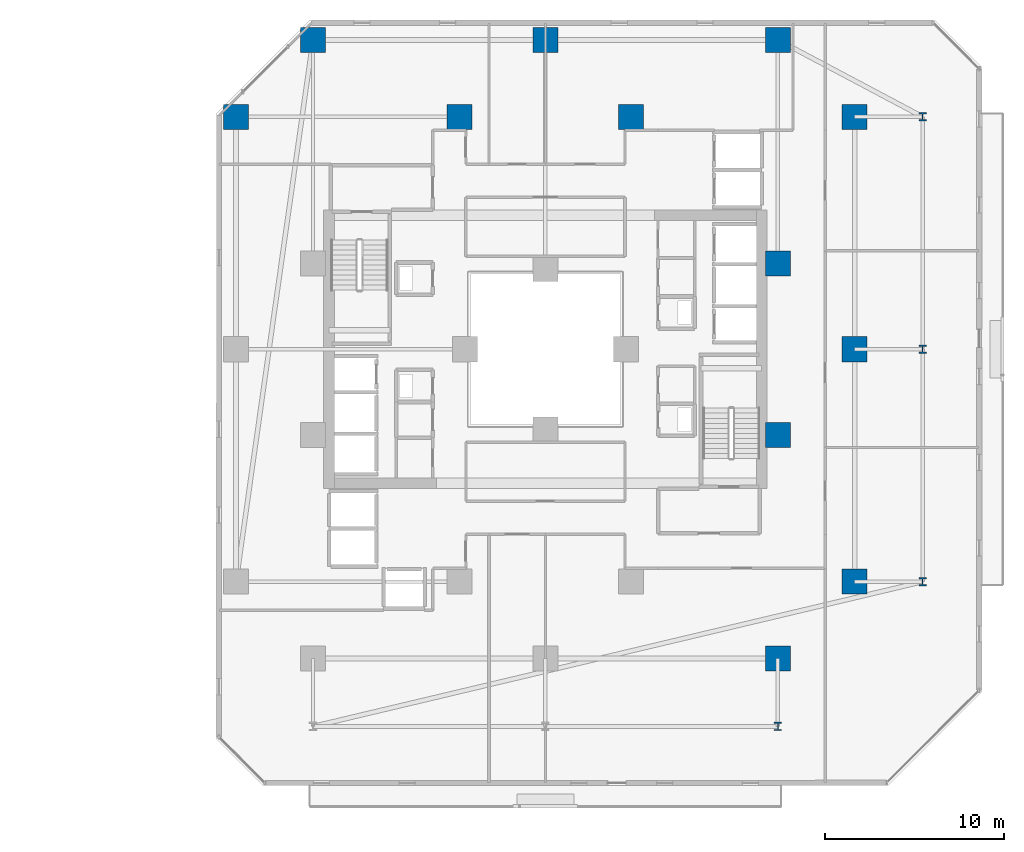
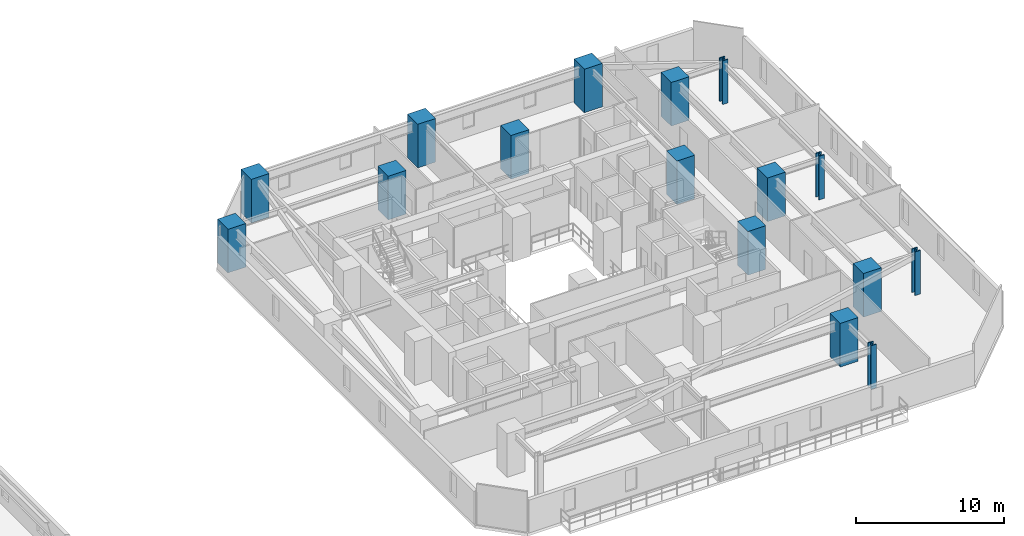
# One storey, part 2 of 33: 16 columns.
"""IFC4 building model written with IfcOpenShell, lengths in metres."""

from ifc_helpers import new_model, si_unit, direction, frame, origin, origin_2d, place, context, subcontext, project, spatial, rectangle, i_section, extrude, material, material_profile, profile_set, type_object, element, save


model = new_model("IFC4")

# Units and contexts
model_context = context("Model", 3, precision=1e-05, world=origin(), true_north=direction((0.0, 1.0)))
body_context = subcontext(model_context, "Body", "Model", "MODEL_VIEW")
ifc_project = project(units=[si_unit("LENGTHUNIT", "METRE"), si_unit("AREAUNIT", "SQUARE_METRE"), si_unit("VOLUMEUNIT", "CUBIC_METRE"), si_unit("PLANEANGLEUNIT", "RADIAN"), si_unit("MASSUNIT", "GRAM", prefix="KILO")], contexts=[model_context])

# Site, building, storey
site_placement = place(None, origin())
site = spatial("IfcSite", under=ifc_project, at=site_placement, CompositionType="ELEMENT")
building_placement = place(site_placement, origin())
building = spatial("IfcBuilding", under=site, at=building_placement, Name="Thornwick Lancets Civic Towers", CompositionType="ELEMENT")
storey_placement = place(building_placement, frame((0.0, 0.0, 38.699951171875)))
storey = spatial("IfcBuildingStorey", under=building, at=storey_placement, Name="L09", CompositionType="ELEMENT", Elevation=38.699951171875)

# Columns
ifc_material_1 = material(Name="Concrete C60/75", Category="concrete")
ifc_material_profile_1 = material_profile(ifc_material_1, rectangle(XDim=1.39990234375, YDim=1.39990234375, at=origin_2d()), Name="RC 1400x1400")
ifc_profile_set_1 = profile_set([ifc_material_profile_1], Name="Concrete C60/75")
column_type_1 = type_object("IfcColumnType", Name="COL_RC_1400", PredefinedType="COLUMN", material=ifc_profile_set_1)
for number, where, z_axis, x_axis, name in (
    (1, (105.800048828125, 14.0, 0.0), (0.0, 0.0, 1.0), (1.0, 0.0, 0.0), "L09 Spine Mega-Column B01"),
    (2, (105.800048828125, 27.0, 0.0), (0.0, 0.0, 1.0), (1.0, 0.0, 0.0), "L09 Spine Mega-Column B02"),
    (3, (105.800048828125, 40.0, 0.0), (0.0, 0.0, 1.0), (1.0, 0.0, 0.0), "L09 Spine Mega-Column B03"),
    (4, (101.5, 44.300048828125, 0.0), (0.0, 0.0, 1.0), (1.0, 0.0, 0.0), "L09 Spine Mega-Column B04"),
    (5, (88.5, 44.300048828125, 0.0), (0.0, 0.0, 1.0), (1.0, 0.0, 0.0), "L09 Spine Mega-Column B05"),
    (6, (75.5, 44.300048828125, 0.0), (0.0, 0.0, 1.0), (1.0, 0.0, 0.0), "L09 Spine Mega-Column B06"),
    (7, (71.199951171875, 40.0, 0.0), (0.0, 0.0, 1.0), (1.0, 0.0, 0.0), "L09 Spine Mega-Column B09"),
    (8, (101.5, 9.699951171875, 0.0), (0.0, 0.0, 1.0), (1.0, 0.0, 0.0), "L09 Spine Mega-Column B10"),
    (9, (93.300048828125, 40.0, 0.0), (0.0, 0.0, 1.0), (1.0, 0.0, 0.0), "L09 Spine Mega-Column B14"),
    (10, (83.699951171875, 40.0, 0.0), (0.0, 0.0, 1.0), (1.0, 0.0, 0.0), "L09 Spine Mega-Column B16"),
    (11, (101.5, 22.199951171875, 0.0), (0.0, 0.0, 1.0), (1.0, 0.0, 0.0), "L09 Spine Mega-Column B17"),
    (12, (101.5, 31.800048828125, 0.0), (0.0, 0.0, 1.0), (1.0, 0.0, 0.0), "L09 Spine Mega-Column B18"),
):
    element("IfcColumn", number, at=place(storey_placement, frame(where, z_axis=z_axis, x_axis=x_axis)), inside=storey, type_object=column_type_1, Name=name, PredefinedType="COLUMN", context=body_context, shape_type="SweptSolid", body=[
        extrude(rectangle(XDim=1.39990234375, YDim=1.39990234375, at=origin_2d()), origin(), (0.0, 0.0, 1.0), 3.60009765625),
    ])
ifc_material_2 = material(Name="Steel S460M", Category="steel")
ifc_material_profile_2 = material_profile(ifc_material_2, i_section(OverallWidth=0.424072265625, OverallDepth=0.474609375, WebThickness=0.047607421875, FlangeThickness=0.076904296875, FilletRadius=0.01513671875, at=origin_2d()), Name="UKC 356x406x634")
ifc_profile_set_2 = profile_set([ifc_material_profile_2], Name="Steel S460M")
column_type_2 = type_object("IfcColumnType", Name="COL_UKC_634", PredefinedType="COLUMN", material=ifc_profile_set_2)
for number, where, z_axis, x_axis, name in (
    (13, (109.60009765625, 14.0, 0.0), (0.0, 0.0, 1.0), (1.0, 0.0, 0.0), "L09 Block Perimeter Column B01"),
    (14, (109.60009765625, 27.0, 0.0), (0.0, 0.0, 1.0), (1.0, 0.0, 0.0), "L09 Block Perimeter Column B02"),
    (15, (109.60009765625, 40.0, 0.0), (0.0, 0.0, 1.0), (1.0, 0.0, 0.0), "L09 Block Perimeter Column B03"),
    (16, (101.5, 5.89990234375, 0.0), (0.0, 0.0, 1.0), (1.0, 0.0, 0.0), "L09 Block Perimeter Column B10"),
):
    element("IfcColumn", number, at=place(storey_placement, frame(where, z_axis=z_axis, x_axis=x_axis)), inside=storey, type_object=column_type_2, Name=name, PredefinedType="COLUMN", context=body_context, shape_type="SweptSolid", body=[
        extrude(i_section(OverallWidth=0.424072265625, OverallDepth=0.474609375, WebThickness=0.047607421875, FlangeThickness=0.076904296875, FilletRadius=0.01513671875, at=origin_2d()), origin(), (0.0, 0.0, 1.0), 3.60009765625),
    ])

save(model, "model.ifc")
